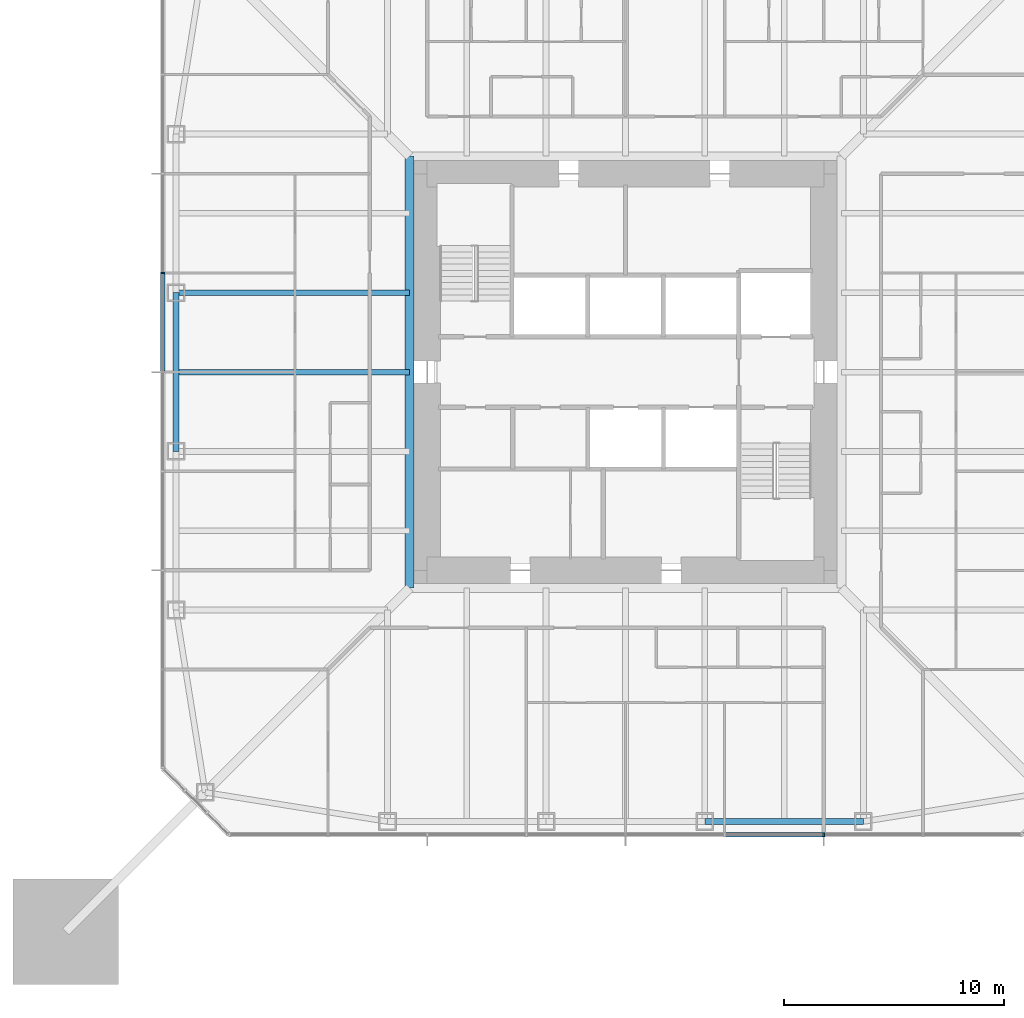
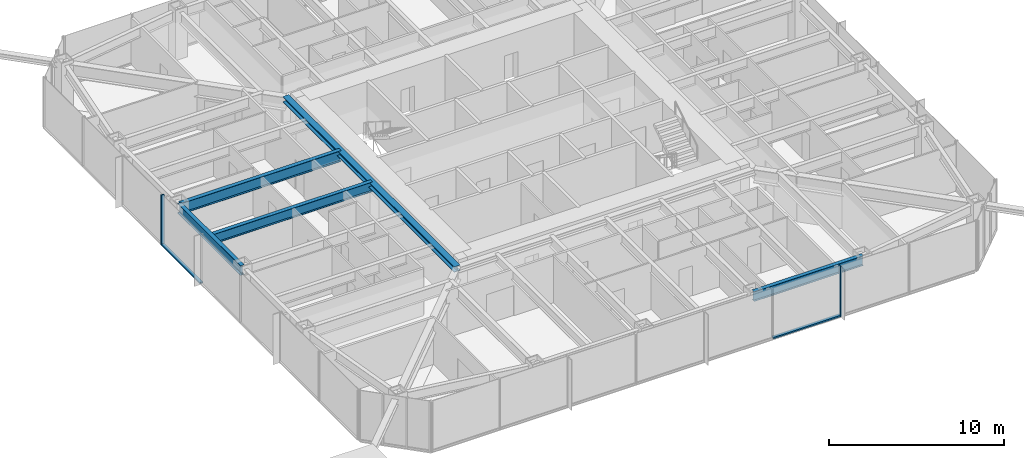
# One storey, part 4 of 25: 5 beams, 4 members, 2 elements without a shape of their own.
"""IFC4 building model written with IfcOpenShell, lengths in metres."""

from ifc_helpers import new_model, si_unit, direction, frame, origin, origin_2d, place, context, subcontext, project, spatial, rectangle, i_section, extrude, material, material_profile, profile_set, type_object, element, aggregate, save


model = new_model("IFC4")

# Units and contexts
model_context = context("Model", 3, precision=1e-05, world=origin(), true_north=direction((0.0, 1.0)))
body_context = subcontext(model_context, "Body", "Model", "MODEL_VIEW")
ifc_project = project(units=[si_unit("LENGTHUNIT", "METRE"), si_unit("AREAUNIT", "SQUARE_METRE"), si_unit("VOLUMEUNIT", "CUBIC_METRE"), si_unit("PLANEANGLEUNIT", "RADIAN"), si_unit("MASSUNIT", "GRAM", prefix="KILO")], contexts=[model_context])

# Site, building, storey
site_placement = place(None, origin())
site = spatial("IfcSite", under=ifc_project, at=site_placement, CompositionType="ELEMENT")
building_placement = place(site_placement, origin())
building = spatial("IfcBuilding", under=site, at=building_placement, Name="Iwan Alto Co-Living Towers", CompositionType="ELEMENT")
storey_placement = place(building_placement, frame((0.0, 0.0, 108.5)))
storey = spatial("IfcBuildingStorey", under=building, at=storey_placement, Name="L29", CompositionType="ELEMENT", Elevation=108.5)

# Curtain wall, member
ifc_material_1 = material(Name="Bronze aluminium unitised frame", Category="aluminium")
curtain_wall_type = type_object("IfcCurtainWallType", Name="CURTAIN WALL CW-A", PredefinedType="NOTDEFINED", material=ifc_material_1)
curtain_wall_1_placement = place(storey_placement, origin())
curtain_wall_1 = element("IfcCurtainWall", 1, at=curtain_wall_1_placement, inside=storey, type_object=curtain_wall_type, Name="T1 curtain wall S L29", PredefinedType="NOTDEFINED")
ifc_material_2 = material(Name="Aluminium 6063-T6 bronze anodised", Category="aluminium")
ifc_material_profile_1 = material_profile(ifc_material_2, rectangle(XDim=0.199951171875, YDim=0.080078125, at=origin_2d()), Name="AL 80X200")
ifc_profile_set_1 = profile_set([ifc_material_profile_1], Name="Aluminium 6063-T6 bronze anodised")
member_type_1 = type_object("IfcMemberType", Name="CW-A MULLION 80X200", PredefinedType="MULLION", material=ifc_profile_set_1)
member_1_placement = place(storey_placement, frame((9.0, -21.0, 0.0), z_axis=(0.0, 0.0, 1.0), x_axis=(0.0, 1.0, 0.0)))
member_1 = element("IfcMember", 2, at=member_1_placement, type_object=member_type_1, Name="CW-A mullion 7", PredefinedType="MULLION", context=body_context, shape_type="SweptSolid", body=[
    extrude(rectangle(XDim=0.199951171875, YDim=0.080078125, at=origin_2d()), origin(), (0.0, 0.0, 1.0), 3.5),
])

curtain_wall_2_placement = place(storey_placement, origin())
curtain_wall_2 = element("IfcCurtainWall", 3, at=curtain_wall_2_placement, inside=storey, type_object=curtain_wall_type, Name="T1 curtain wall W L29", PredefinedType="NOTDEFINED")
member_2_placement = place(storey_placement, frame((-21.0, 4.5, 0.0), z_axis=(0.0, 0.0, 1.0), x_axis=(1.0, 0.0, 0.0)))
member_2 = element("IfcMember", 4, at=member_2_placement, type_object=member_type_1, Name="CW-A mullion 4", PredefinedType="MULLION", context=body_context, shape_type="SweptSolid", body=[
    extrude(rectangle(XDim=0.199951171875, YDim=0.080078125, at=origin_2d()), origin(), (0.0, 0.0, 1.0), 3.5),
])

# Member
ifc_material_3 = material(Name="Aluminium 6063-T6 bronze anodised", Category="aluminium")
ifc_material_profile_2 = material_profile(ifc_material_3, rectangle(XDim=0.199951171875, YDim=0.10009765625, at=origin_2d()), Name="AL 200X100")
ifc_profile_set_2 = profile_set([ifc_material_profile_2], Name="Aluminium 6063-T6 bronze anodised")
member_type_2 = type_object("IfcMemberType", Name="CW-A TRANSOM 200X100", PredefinedType="USERDEFINED", material=ifc_profile_set_2)
member_3_placement = place(storey_placement, frame((4.5400390625, -21.0, 0.050048828125), z_axis=(1.0, 0.0, 0.0), x_axis=(0.0, 1.0, 0.0)))
member_3 = element("IfcMember", 5, at=member_3_placement, type_object=member_type_2, Name="CW-A transom 6.1", ObjectType="TRANSOM", PredefinedType="USERDEFINED", context=body_context, shape_type="SweptSolid", body=[
    extrude(rectangle(XDim=0.199951171875, YDim=0.10009765625, at=origin_2d()), origin(), (0.0, 0.0, 1.0), 4.419921875),
])

aggregate(curtain_wall_1, [member_1, member_3])

member_4_placement = place(storey_placement, frame((-21.0, 4.4599609375, 0.050048828125), z_axis=(0.0, -1.0, 0.0), x_axis=(1.0, 0.0, 0.0)))
member_4 = element("IfcMember", 6, at=member_4_placement, type_object=member_type_2, Name="CW-A transom 4.1", ObjectType="TRANSOM", PredefinedType="USERDEFINED", context=body_context, shape_type="SweptSolid", body=[
    extrude(rectangle(XDim=0.199951171875, YDim=0.10009765625, at=origin_2d()), origin(), (0.0, 0.0, 1.0), 4.419921875),
])

aggregate(curtain_wall_2, [member_2, member_4])

# Beams
ifc_material_4 = material(Name="Steel ASTM A992 Gr 50", Category="steel")
ifc_material_profile_3 = material_profile(ifc_material_4, i_section(OverallWidth=0.398681640625, OverallDepth=0.385986328125, WebThickness=0.02099609375, FlangeThickness=0.033203125, at=origin_2d()), Name="W14X176")
ifc_profile_set_3 = profile_set([ifc_material_profile_3], Name="Steel ASTM A992 Gr 50")
beam_type_1 = type_object("IfcBeamType", Name="T1 CORE LEDGER BEAM W14X176", PredefinedType="BEAM", material=ifc_profile_set_3)
beam_1_placement = place(storey_placement, frame((-9.79931640625, 9.79931640625, 3.076904296875), z_axis=(0.0, -1.0, 0.0), x_axis=(1.0, 0.0, 0.0)))
element("IfcBeam", 7, at=beam_1_placement, inside=storey, type_object=beam_type_1, Name="T1 core ledger beam W L30", PredefinedType="BEAM", context=body_context, shape_type="SweptSolid", body=[
    extrude(i_section(OverallWidth=0.398681640625, OverallDepth=0.385986328125, WebThickness=0.02099609375, FlangeThickness=0.033203125, at=origin_2d()), origin(), (0.0, 0.0, 1.0), 19.5986328125),
])
ifc_material_5 = material(Name="Steel ASTM A992 Gr 50", Category="steel")
ifc_material_profile_4 = material_profile(ifc_material_5, i_section(OverallWidth=0.25390625, OverallDepth=0.683349609375, WebThickness=0.012451171875, FlangeThickness=0.018798828125, at=origin_2d()), Name="W27X94")
ifc_profile_set_4 = profile_set([ifc_material_profile_4], Name="Steel ASTM A992 Gr 50")
beam_type_2 = type_object("IfcBeamType", Name="T1 EDGE BEAM W27X94", PredefinedType="BEAM", material=ifc_profile_set_4)
beam_2_placement = place(storey_placement, frame((3.60009765625, -20.39990234375, 2.928466796875), z_axis=(1.0, 0.0, 0.0), x_axis=(0.0, 1.0, 0.0)))
element("IfcBeam", 8, at=beam_2_placement, inside=storey, type_object=beam_type_2, Name="T1 edge beam S3 L30", PredefinedType="BEAM", context=body_context, shape_type="SweptSolid", body=[
    extrude(i_section(OverallWidth=0.25390625, OverallDepth=0.683349609375, WebThickness=0.012451171875, FlangeThickness=0.018798828125, at=origin_2d()), origin(), (0.0, 0.0, 1.0), 7.199951171875),
])
beam_3_placement = place(storey_placement, frame((-20.39990234375, 3.60009765625, 2.928466796875), z_axis=(0.0, -1.0, 0.0), x_axis=(1.0, 0.0, 0.0)))
element("IfcBeam", 9, at=beam_3_placement, inside=storey, type_object=beam_type_2, Name="T1 edge beam W2 L30", PredefinedType="BEAM", context=body_context, shape_type="SweptSolid", body=[
    extrude(i_section(OverallWidth=0.25390625, OverallDepth=0.683349609375, WebThickness=0.012451171875, FlangeThickness=0.018798828125, at=origin_2d()), origin(), (0.0, 0.0, 1.0), 7.2001953125),
])
ifc_material_6 = material(Name="Steel ASTM A992 Gr 50", Category="steel")
ifc_material_profile_5 = material_profile(ifc_material_6, i_section(OverallWidth=0.2666015625, OverallDepth=0.761962890625, WebThickness=0.014404296875, FlangeThickness=0.021484375, at=origin_2d()), Name="W30X116")
ifc_profile_set_5 = profile_set([ifc_material_profile_5], Name="Steel ASTM A992 Gr 50")
beam_type_3 = type_object("IfcBeamType", Name="T1 RADIAL BEAM W30X116", PredefinedType="BEAM", material=ifc_profile_set_5)
beam_4_placement = place(storey_placement, frame((-20.39990234375, 3.60009765625, 2.888916015625), z_axis=(1.0, 0.0, 0.0), x_axis=(0.0, 1.0, 0.0)))
element("IfcBeam", 10, at=beam_4_placement, inside=storey, type_object=beam_type_3, Name="T1 radial beam W2 L30", PredefinedType="BEAM", context=body_context, shape_type="SweptSolid", body=[
    extrude(i_section(OverallWidth=0.2666015625, OverallDepth=0.761962890625, WebThickness=0.014404296875, FlangeThickness=0.021484375, at=origin_2d()), origin(), (0.0, 0.0, 1.0), 10.6005859375),
])
ifc_material_7 = material(Name="Steel ASTM A992 Gr 50", Category="steel")
ifc_material_profile_6 = material_profile(ifc_material_7, i_section(OverallWidth=0.25390625, OverallDepth=0.683349609375, WebThickness=0.012451171875, FlangeThickness=0.018798828125, at=origin_2d()), Name="W27X94")
ifc_profile_set_6 = profile_set([ifc_material_profile_6], Name="Steel ASTM A992 Gr 50")
beam_type_4 = type_object("IfcBeamType", Name="T1 SECONDARY BEAM W27X94", PredefinedType="JOIST", material=ifc_profile_set_6)
beam_5_placement = place(storey_placement, frame((-20.39990234375, 0.0, 2.928466796875), z_axis=(1.0, 0.0, 0.0), x_axis=(0.0, 1.0, 0.0)))
element("IfcBeam", 11, at=beam_5_placement, inside=storey, type_object=beam_type_4, Name="T1 secondary beam W2 L30", PredefinedType="JOIST", context=body_context, shape_type="SweptSolid", body=[
    extrude(i_section(OverallWidth=0.25390625, OverallDepth=0.683349609375, WebThickness=0.012451171875, FlangeThickness=0.018798828125, at=origin_2d()), origin(), (0.0, 0.0, 1.0), 10.6005859375),
])

save(model, "model.ifc")
